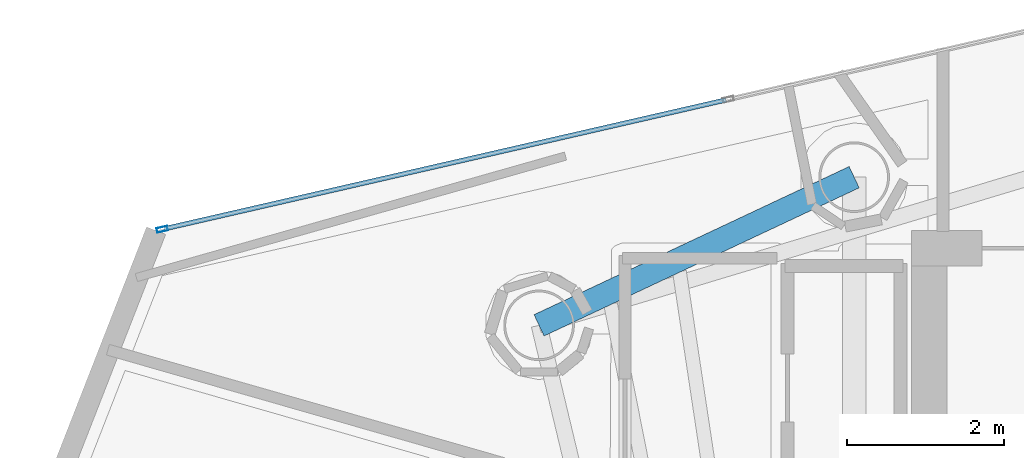
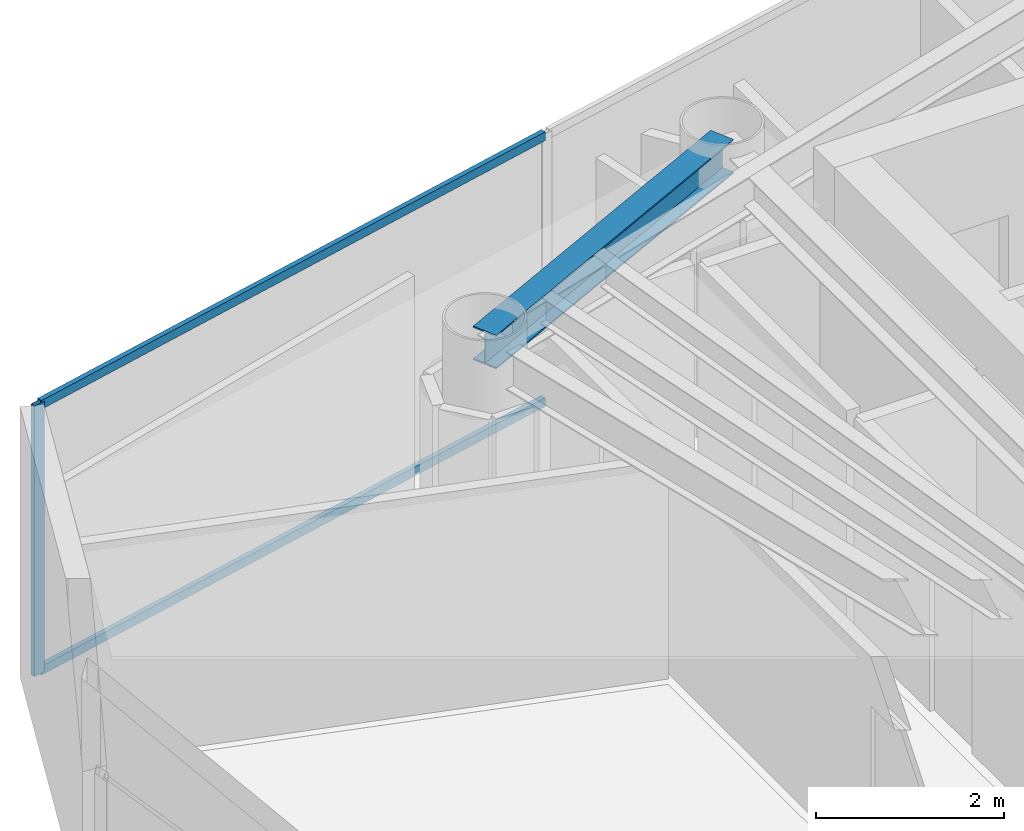
# One storey, part 10 of 24: 3 members, 1 beam, 1 element without a shape of its own.
"""IFC4 building model written with IfcOpenShell, lengths in metres."""

from ifc_helpers import new_model, si_unit, direction, frame, origin, origin_2d, place, context, subcontext, project, spatial, hollow_rectangle, i_section, extrude, material, layer, layer_set, material_profile, profile_set, type_object, element, aggregate, save


model = new_model("IFC4")

# Units and contexts
model_context = context("Model", 3, precision=1e-05, world=origin(), true_north=direction((0.0, 1.0)))
body_context = subcontext(model_context, "Body", "Model", "MODEL_VIEW")
ifc_project = project(units=[si_unit("LENGTHUNIT", "METRE"), si_unit("AREAUNIT", "SQUARE_METRE"), si_unit("VOLUMEUNIT", "CUBIC_METRE"), si_unit("PLANEANGLEUNIT", "RADIAN"), si_unit("MASSUNIT", "GRAM", prefix="KILO")], contexts=[model_context])

# Site, building, storey
site_placement = place(None, origin())
site = spatial("IfcSite", under=ifc_project, at=site_placement, CompositionType="ELEMENT")
building_placement = place(site_placement, origin())
building = spatial("IfcBuilding", under=site, at=building_placement, Name="Qianvela Tower", CompositionType="ELEMENT")
storey_placement = place(building_placement, frame((0.0, 0.0, 306.5)))
storey = spatial("IfcBuildingStorey", under=building, at=storey_placement, Name="L79", CompositionType="ELEMENT", Elevation=306.5)

# Beam
ifc_material_1 = material(Name="Steel Q355B", Category="steel")
ifc_material_profile_1 = material_profile(ifc_material_1, i_section(OverallWidth=0.300048828125, OverallDepth=0.43994140625, WebThickness=0.010986328125, FlangeThickness=0.01806640625, at=origin_2d()), Name="HM440x300x11x18")
ifc_profile_set_1 = profile_set([ifc_material_profile_1], Name="Steel Q355B")
beam_type = type_object("IfcBeamType", Name="BM-HM440-COLL", PredefinedType="BEAM", material=ifc_profile_set_1)
beam_placement = place(storey_placement, frame((28.60009765625, 33.550048828125, 3.298095703125), z_axis=(-0.904957143986, -0.425502723316, 0.0), x_axis=(0.425502723316, -0.904957143986, 0.0)))
element("IfcBeam", 1, at=beam_placement, inside=storey, type_object=beam_type, Name="L79 Radial Primary Floor Girder 3", PredefinedType="BEAM", context=body_context, shape_type="SweptSolid", body=[
    extrude(i_section(OverallWidth=0.300048828125, OverallDepth=0.43994140625, WebThickness=0.010986328125, FlangeThickness=0.01806640625, at=origin_2d()), origin(), (0.0, 0.0, 1.0), 4.4345703125),
])

# Curtain wall, members
ifc_material_2 = material(Name="Anodised Architectural Aluminium and Low-E Glass", Category="aluminium")
ifc_layer = layer(ifc_material_2, 0.14990234375)
ifc_layer_set = layer_set([ifc_layer], Name="Anodised Architectural Aluminium and Low-E Glass")
curtain_wall_type = type_object("IfcCurtainWallType", Name="CW-COLIV-Z78", PredefinedType="USERDEFINED", material=ifc_layer_set)
curtain_wall_placement = place(storey_placement, origin())
curtain_wall = element("IfcCurtainWall", 2, at=curtain_wall_placement, inside=storey, type_object=curtain_wall_type, Name="L79 CW-COLIV-Z78 Curtain Wall 02C", ObjectType="CURTAIN_WALL_SYSTEM", PredefinedType="USERDEFINED")
ifc_material_3 = material(Name="Anodised Architectural Aluminium 6063-T6", Category="aluminium")
ifc_material_profile_2 = material_profile(ifc_material_3, hollow_rectangle(XDim=0.06005859375, YDim=0.139892578125, WallThickness=0.00439453125, at=origin_2d()), Name="ALU-MULL-60x140")
ifc_profile_set_2 = profile_set([ifc_material_profile_2], Name="Anodised Architectural Aluminium 6063-T6")
member_type_1 = type_object("IfcMemberType", Name="CW-COLIV-Z78-MULL", PredefinedType="MULLION", material=ifc_profile_set_2)
member_1_placement = place(storey_placement, frame((19.78759765625, 32.886474609375, 0.0), z_axis=(0.0, 0.0, 1.0), x_axis=(0.223710234751, -0.974655698628, 0.0)))
member_1 = element("IfcMember", 3, at=member_1_placement, type_object=member_type_1, Name="CW-6 mullion 3", PredefinedType="MULLION", context=body_context, shape_type="SweptSolid", body=[
    extrude(hollow_rectangle(XDim=0.06005859375, YDim=0.139892578125, WallThickness=0.00439453125, at=origin_2d()), origin(), (0.0, 0.0, 1.0), 3.52001953125),
])
ifc_material_4 = material(Name="Anodised Architectural Aluminium 6063-T6", Category="aluminium")
ifc_material_profile_3 = material_profile(ifc_material_4, hollow_rectangle(XDim=0.06005859375, YDim=0.114990234375, WallThickness=0.00390625, at=origin_2d()), Name="ALU-TRAN-60x115")
ifc_profile_set_3 = profile_set([ifc_material_profile_3], Name="Anodised Architectural Aluminium 6063-T6")
member_type_2 = type_object("IfcMemberType", Name="CW-COLIV-Z78-TRAN", PredefinedType="USERDEFINED", material=ifc_profile_set_3)
member_2_placement = place(storey_placement, frame((26.967529296875, 34.534423828125, 0.030029296875), z_axis=(-0.974660265313, -0.223690337787, 0.0), x_axis=(0.223690337787, -0.974660265313, 0.0)))
member_2 = element("IfcMember", 4, at=member_2_placement, type_object=member_type_2, Name="CW-6 transom 2.1", ObjectType="TRANSOM", PredefinedType="USERDEFINED", context=body_context, shape_type="SweptSolid", body=[
    extrude(hollow_rectangle(XDim=0.06005859375, YDim=0.114990234375, WallThickness=0.00390625, at=origin_2d()), origin(), (0.0, 0.0, 1.0), 7.33642578125),
])
member_3_placement = place(storey_placement, frame((26.967529296875, 34.534423828125, 3.489990234375), z_axis=(-0.974660265313, -0.223690337787, 0.0), x_axis=(0.223690337787, -0.974660265313, 0.0)))
member_3 = element("IfcMember", 5, at=member_3_placement, type_object=member_type_2, Name="CW-6 transom 2.2", ObjectType="TRANSOM", PredefinedType="USERDEFINED", context=body_context, shape_type="SweptSolid", body=[
    extrude(hollow_rectangle(XDim=0.06005859375, YDim=0.114990234375, WallThickness=0.00390625, at=origin_2d()), origin(), (0.0, 0.0, 1.0), 7.33642578125),
])
aggregate(curtain_wall, [member_1, member_2, member_3])

save(model, "model.ifc")
